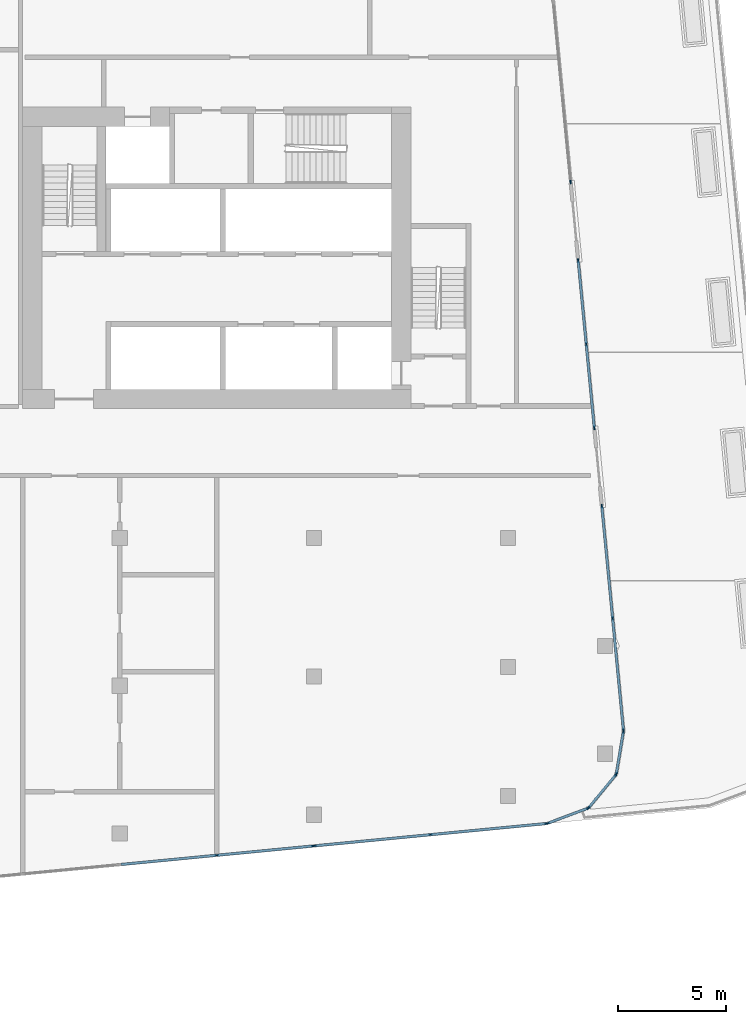
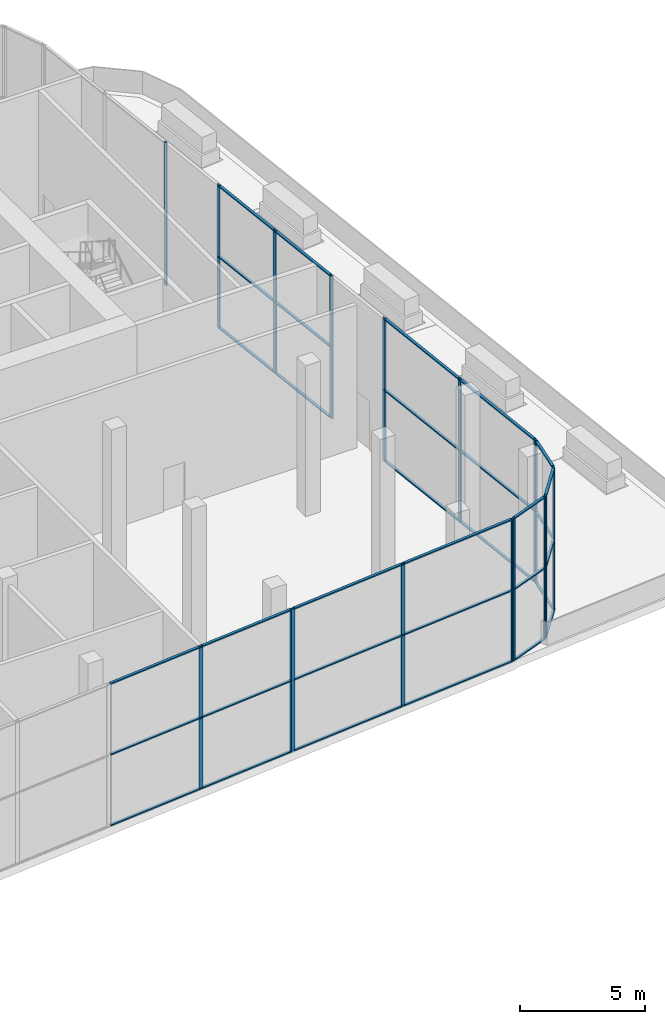
# One storey, part 7 of 25: 51 members, 8 elements without a shape of their own.
"""IFC4 building model written with IfcOpenShell, lengths in metres."""

import ifcopenshell
import ifcopenshell.guid

model = None  # the IFC model being written
_history = None  # IfcOwnerHistory: only IFC2X3 demands one
_inside = {}  # id of a spatial element -> (the spatial element, [elements in it])
_under = {}  # id of a project, library or spatial element -> (it, [spatial elements below it])
_declared = {}  # id of a project -> (the project, [libraries it declares])
_typed = {}  # id of a type object -> (the type object, [elements of that type])
_made_of = {}  # id of a material, layer set ... -> (it, [elements and type objects made of it])


def new_model(schema):
    """Start an empty IFC model of exactly this schema.

    Asked for "IFC4X3", IfcOpenShell would pick the latest addendum, in which some entities
    have other attributes; the version numbers below select the first issue.
    IFC2X3 requires an IfcOwnerHistory on every rooted entity: one is made here for all.
    """
    global model, _history
    if schema == "IFC4X3":
        model = ifcopenshell.file(schema_version=(4, 3, 0, 0))
    else:
        model = ifcopenshell.file(schema=schema)
    _inside.clear()
    _under.clear()
    _declared.clear()
    _typed.clear()
    _made_of.clear()
    _history = None
    if model.schema == "IFC2X3":
        org = make("IfcOrganization", Name="unknown")
        user = make(
            "IfcPersonAndOrganization",
            ThePerson=make("IfcPerson", FamilyName="unknown"),
            TheOrganization=org,
        )
        app = make(
            "IfcApplication",
            ApplicationDeveloper=org,
            Version="unknown",
            ApplicationFullName="unknown",
            ApplicationIdentifier="unknown",
        )
        _history = make(
            "IfcOwnerHistory",
            OwningUser=user,
            OwningApplication=app,
            ChangeAction="ADDED",
            CreationDate=0,
        )
    return model


def make(cls, **values):
    """One entity of the class cls with the attributes given. An attribute that is None is left unset."""
    return model.create_entity(
        cls, **{name: value for name, value in values.items() if value is not None}
    )


def rooted(cls, **values):
    """An entity with a GlobalId (a new one), such as an element, a storey or a relation."""
    return make(cls, GlobalId=ifcopenshell.guid.new(), OwnerHistory=_history, **values)


def si_unit(unit_type, name, prefix=None):
    """IfcSIUnit, for example si_unit("LENGTHUNIT", "METRE", prefix="MILLI")."""
    return make("IfcSIUnit", UnitType=unit_type, Prefix=prefix, Name=name)


def assignment(units):
    """IfcUnitAssignment: the units of a project."""
    return None if units is None else make("IfcUnitAssignment", Units=units)


def point(xyz):
    """IfcCartesianPoint."""
    return None if xyz is None else make("IfcCartesianPoint", Coordinates=xyz)


def direction(xyz):
    """IfcDirection."""
    return None if xyz is None else make("IfcDirection", DirectionRatios=xyz)


def frame(location, z_axis=None, x_axis=None):
    """IfcAxis2Placement3D, a coordinate frame: its origin and axes. An axis left out is left unset."""
    return make(
        "IfcAxis2Placement3D",
        Location=point(location),
        Axis=direction(z_axis),
        RefDirection=direction(x_axis),
    )


def frame_2d(location, x_axis=None):
    """IfcAxis2Placement2D, a coordinate frame in the plane: its origin and x axis."""
    return make(
        "IfcAxis2Placement2D", Location=point(location), RefDirection=direction(x_axis)
    )


def origin():
    """The frame at (0, 0, 0) with its axes left unset."""
    return frame((0.0, 0.0, 0.0))


def origin_2d():
    """The frame at (0, 0) in the plane with its x axis left unset."""
    return frame_2d((0.0, 0.0))


def place(relative_to, where):
    """IfcLocalPlacement: puts the frame where relative to a parent placement (None: the world)."""
    return make(
        "IfcLocalPlacement", PlacementRelTo=relative_to, RelativePlacement=where
    )


def context(
    kind, dimensions, precision=None, world=None, true_north=None, identifier=None
):
    """IfcGeometricRepresentationContext, for example the 3D "Model" context."""
    return make(
        "IfcGeometricRepresentationContext",
        ContextIdentifier=identifier,
        ContextType=kind,
        CoordinateSpaceDimension=dimensions,
        Precision=precision,
        WorldCoordinateSystem=world,
        TrueNorth=true_north,
    )


def subcontext(parent, identifier, kind, view, scale=None):
    """IfcGeometricRepresentationSubContext, for example "Body" below "Model"."""
    return make(
        "IfcGeometricRepresentationSubContext",
        ContextIdentifier=identifier,
        ContextType=kind,
        ParentContext=parent,
        TargetScale=scale,
        TargetView=view,
    )


def project(units=None, contexts=None):
    """IfcProject with its units and contexts."""
    return rooted(
        "IfcProject",
        Name="project",
        RepresentationContexts=contexts,
        UnitsInContext=assignment(units),
    )


def spatial(cls, under=None, at=None, **own):
    """A site, building, storey or space (cls), placed at a placement, below another one or the project."""
    s = rooted(cls, ObjectPlacement=at, **own)
    if under is not None:
        _under.setdefault(under.id(), (under, []))[1].append(s)
    return s


def profile(cls, at=None, kind="AREA", **sizes):
    """A parametric profile (cls). Its sizes go by their IFC names, for example OverallWidth=200.0."""
    return make(cls, ProfileType=kind, Position=at, **sizes)


def rectangle(**sizes):
    """IfcRectangleProfileDef."""
    return profile("IfcRectangleProfileDef", **sizes)


def extrude(swept, where, along, depth):
    """IfcExtrudedAreaSolid: the profile swept, set in the frame where, extruded along a direction by depth."""
    return make(
        "IfcExtrudedAreaSolid",
        SweptArea=swept,
        Position=where,
        ExtrudedDirection=direction(along),
        Depth=depth,
    )


def shape(context_of_items, identifier, shape_type, items):
    """IfcShapeRepresentation: the items that make up one representation, for example the "Body"."""
    return make(
        "IfcShapeRepresentation",
        ContextOfItems=context_of_items,
        RepresentationIdentifier=identifier,
        RepresentationType=shape_type,
        Items=items,
    )


def material(Name=None, Category=None):
    """IfcMaterial."""
    return make("IfcMaterial", Name=Name, Category=Category)


def material_profile(
    of_material, cross_section, Name=None, Category=None, Priority=None
):
    """IfcMaterialProfile: a cross section and its material."""
    return make(
        "IfcMaterialProfile",
        Name=Name,
        Material=of_material,
        Profile=cross_section,
        Priority=Priority,
        Category=Category,
    )


def profile_set(profiles, Name=None, composite=None):
    """IfcMaterialProfileSet."""
    return make(
        "IfcMaterialProfileSet",
        Name=Name,
        MaterialProfiles=profiles,
        CompositeProfile=composite,
    )


def made_of(thing, what):
    """Note that an element or type object is made of a material, layer set ...; save() writes the relation."""
    if what is not None:
        _made_of.setdefault(what.id(), (what, []))[1].append(thing)
    return thing


def type_object(cls, material=None, **own):
    """A type object (cls), such as IfcWallType, which elements share."""
    return made_of(rooted(cls, **own), material)


def element(
    cls,
    number,
    at=None,
    inside=None,
    cuts=None,
    type_object=None,
    material=None,
    context=None,
    identifier="Body",
    shape_type=None,
    held_by="IfcProductDefinitionShape",
    body=None,
    shapes=None,
    **own,
):
    """One element of the class cls, such as IfcWall. Its Tag is "e" and its number.

    at: its placement. inside: the storey or other place that contains it. cuts: it is an
    opening in that element (IfcRelVoidsElement). A single representation is given by context,
    identifier, shape_type and body (its items); several are given by shapes. held_by: the class
    of the entity that holds the representations. save() writes the other relations.
    """
    e = rooted(cls, Tag="e%d" % number, ObjectPlacement=at, **own)
    if body is not None:
        shapes = [shape(context, identifier, shape_type, body)]
    if shapes is not None:
        e.Representation = make(held_by, Representations=shapes)
    if inside is not None:
        _inside.setdefault(inside.id(), (inside, []))[1].append(e)
    if cuts is not None:
        rooted(
            "IfcRelVoidsElement", RelatingBuildingElement=cuts, RelatedOpeningElement=e
        )
    if type_object is not None:
        _typed.setdefault(type_object.id(), (type_object, []))[1].append(e)
    return made_of(e, material)


def aggregate(whole, parts):
    """IfcRelAggregates: a whole, such as a stair, and the parts it consists of."""
    return rooted("IfcRelAggregates", RelatingObject=whole, RelatedObjects=parts)


def save(model, path):
    """Write the relations noted so far, then the file.

    IfcRelAggregates (storeys below a building ...), IfcRelContainedInSpatialStructure (elements
    in a storey), IfcRelDefinesByType, IfcRelAssociatesMaterial and IfcRelDeclares: one each for
    every whole, place, type object, material and project.
    """
    for whole, parts in _under.values():
        aggregate(whole, parts)
    for where, things in _inside.values():
        rooted(
            "IfcRelContainedInSpatialStructure",
            RelatedElements=things,
            RelatingStructure=where,
        )
    for kind, things in _typed.values():
        rooted("IfcRelDefinesByType", RelatedObjects=things, RelatingType=kind)
    for what, things in _made_of.values():
        rooted("IfcRelAssociatesMaterial", RelatedObjects=things, RelatingMaterial=what)
    for by, libraries in _declared.values():
        rooted("IfcRelDeclares", RelatingContext=by, RelatedDefinitions=libraries)
    model.write(path)


model = new_model("IFC4")

# Units and contexts
model_context = context("Model", 3, precision=1e-05, world=origin(), true_north=direction((0.0, 1.0)))
body_context = subcontext(model_context, "Body", "Model", "MODEL_VIEW")
ifc_project = project(units=[si_unit("LENGTHUNIT", "METRE"), si_unit("AREAUNIT", "SQUARE_METRE"), si_unit("VOLUMEUNIT", "CUBIC_METRE"), si_unit("PLANEANGLEUNIT", "RADIAN"), si_unit("MASSUNIT", "GRAM", prefix="KILO")], contexts=[model_context])

# Site, building, storey
site_placement = place(None, origin())
site = spatial("IfcSite", under=ifc_project, at=site_placement, CompositionType="ELEMENT")
building_placement = place(site_placement, origin())
building = spatial("IfcBuilding", under=site, at=building_placement, Name="Kajstack Hotel Tower", CompositionType="ELEMENT")
storey_placement = place(building_placement, frame((0.0, 0.0, 155.0)))
storey = spatial("IfcBuildingStorey", under=building, at=storey_placement, Name="L36", CompositionType="ELEMENT", Elevation=155.0)

# Curtain wall, members
ifc_material_1 = material(Name="Aluminium-framed curtain wall, insulated glass with fritted edge", Category="aluminium")
curtain_wall_type = type_object("IfcCurtainWallType", Name="CW-SPA", PredefinedType="NOTDEFINED", material=ifc_material_1)
curtain_wall_1_placement = place(storey_placement, origin())
curtain_wall_1 = element("IfcCurtainWall", 1, at=curtain_wall_1_placement, inside=storey, type_object=curtain_wall_type, Name="Curtain wall CU7 L36-04-02-3", PredefinedType="NOTDEFINED")
ifc_material_2 = material(Name="Aluminium", Category="aluminium")
ifc_material_profile_1 = material_profile(ifc_material_2, rectangle(XDim=0.06005859375, YDim=0.179931640625, at=origin_2d()), Name="Aluminium mullion 60 x 180")
ifc_profile_set_1 = profile_set([ifc_material_profile_1], Name="Aluminium")
member_type_1 = type_object("IfcMemberType", Name="CW-M-SPA", PredefinedType="MULLION", material=ifc_profile_set_1)
member_1_placement = place(storey_placement, frame((22.49267578125, -19.21142578125, 0.0), z_axis=(0.0, 0.0, 1.0), x_axis=(-0.095845332373, 0.995396238823, 0.0)))
member_1 = element("IfcMember", 2, at=member_1_placement, type_object=member_type_1, Name="CU7 mullion 2", PredefinedType="MULLION", context=body_context, shape_type="SweptSolid", body=[
    extrude(rectangle(XDim=0.06005859375, YDim=0.179931640625, at=origin_2d()), origin(), (0.0, 0.0, 1.0), 7.0),
])
member_2_placement = place(storey_placement, frame((26.962890625, -18.781005859375, 0.0), z_axis=(0.0, 0.0, 1.0), x_axis=(-0.095845332373, 0.995396238823, 0.0)))
member_2 = element("IfcMember", 3, at=member_2_placement, type_object=member_type_1, Name="CU7 mullion 3", PredefinedType="MULLION", context=body_context, shape_type="SweptSolid", body=[
    extrude(rectangle(XDim=0.06005859375, YDim=0.179931640625, at=origin_2d()), origin(), (0.0, 0.0, 1.0), 7.0),
])

curtain_wall_2_placement = place(storey_placement, origin())
curtain_wall_2 = element("IfcCurtainWall", 4, at=curtain_wall_2_placement, inside=storey, type_object=curtain_wall_type, Name="Curtain wall CU7 L36-04-02-4", PredefinedType="NOTDEFINED")
member_3_placement = place(storey_placement, frame((27.022705078125, -18.775390625, 0.0), z_axis=(0.0, 0.0, 1.0), x_axis=(-0.095845408154, 0.995396231526, 0.0)))
member_3 = element("IfcMember", 5, at=member_3_placement, type_object=member_type_1, Name="CU7 mullion 1", PredefinedType="MULLION", context=body_context, shape_type="SweptSolid", body=[
    extrude(rectangle(XDim=0.06005859375, YDim=0.179931640625, at=origin_2d()), origin(), (0.0, 0.0, 1.0), 7.0),
])
member_4_placement = place(storey_placement, frame((32.412841796875, -18.25634765625, 0.0), z_axis=(0.0, 0.0, 1.0), x_axis=(-0.095845408154, 0.995396231526, 0.0)))
member_4 = element("IfcMember", 6, at=member_4_placement, type_object=member_type_1, Name="CU7 mullion 2", PredefinedType="MULLION", context=body_context, shape_type="SweptSolid", body=[
    extrude(rectangle(XDim=0.06005859375, YDim=0.179931640625, at=origin_2d()), origin(), (0.0, 0.0, 1.0), 7.0),
])
member_5_placement = place(storey_placement, frame((37.802978515625, -17.7373046875, 0.0), z_axis=(0.0, 0.0, 1.0), x_axis=(-0.095845408154, 0.995396231526, 0.0)))
member_5 = element("IfcMember", 7, at=member_5_placement, type_object=member_type_1, Name="CU7 mullion 3", PredefinedType="MULLION", context=body_context, shape_type="SweptSolid", body=[
    extrude(rectangle(XDim=0.06005859375, YDim=0.179931640625, at=origin_2d()), origin(), (0.0, 0.0, 1.0), 7.0),
])

curtain_wall_3_placement = place(storey_placement, origin())
curtain_wall_3 = element("IfcCurtainWall", 8, at=curtain_wall_3_placement, inside=storey, type_object=curtain_wall_type, Name="Curtain wall CU7 L36-05-00-0", PredefinedType="NOTDEFINED")
member_6_placement = place(storey_placement, frame((37.842041015625, -17.728271484375, 0.0), z_axis=(0.0, 0.0, 1.0), x_axis=(-0.3502023187, 0.936674082046, 0.0)))
member_6 = element("IfcMember", 9, at=member_6_placement, type_object=member_type_1, Name="CU7 mullion 1", PredefinedType="MULLION", context=body_context, shape_type="SweptSolid", body=[
    extrude(rectangle(XDim=0.06005859375, YDim=0.179931640625, at=origin_2d()), origin(), (0.0, 0.0, 1.0), 7.0),
])
member_7_placement = place(storey_placement, frame((39.72509765625, -17.024169921875, 0.0), z_axis=(0.0, 0.0, 1.0), x_axis=(-0.3502023187, 0.936674082046, 0.0)))
member_7 = element("IfcMember", 10, at=member_7_placement, type_object=member_type_1, Name="CU7 mullion 2", PredefinedType="MULLION", context=body_context, shape_type="SweptSolid", body=[
    extrude(rectangle(XDim=0.06005859375, YDim=0.179931640625, at=origin_2d()), origin(), (0.0, 0.0, 1.0), 7.0),
])

curtain_wall_4_placement = place(storey_placement, origin())
curtain_wall_4 = element("IfcCurtainWall", 11, at=curtain_wall_4_placement, inside=storey, type_object=curtain_wall_type, Name="Curtain wall CU7 L36-06-00-0", PredefinedType="NOTDEFINED")
member_8_placement = place(storey_placement, frame((39.74072265625, -17.01318359375, 0.0), z_axis=(0.0, 0.0, 1.0), x_axis=(-0.771610892698, 0.636094828048, 0.0)))
member_8 = element("IfcMember", 12, at=member_8_placement, type_object=member_type_1, Name="CU7 mullion 1", PredefinedType="MULLION", context=body_context, shape_type="SweptSolid", body=[
    extrude(rectangle(XDim=0.06005859375, YDim=0.179931640625, at=origin_2d()), origin(), (0.0, 0.0, 1.0), 7.0),
])
member_9_placement = place(storey_placement, frame((41.01953125, -15.461669921875, 0.0), z_axis=(0.0, 0.0, 1.0), x_axis=(-0.771610892698, 0.636094828048, 0.0)))
member_9 = element("IfcMember", 13, at=member_9_placement, type_object=member_type_1, Name="CU7 mullion 2", PredefinedType="MULLION", context=body_context, shape_type="SweptSolid", body=[
    extrude(rectangle(XDim=0.06005859375, YDim=0.179931640625, at=origin_2d()), origin(), (0.0, 0.0, 1.0), 7.0),
])

curtain_wall_5_placement = place(storey_placement, origin())
curtain_wall_5 = element("IfcCurtainWall", 14, at=curtain_wall_5_placement, inside=storey, type_object=curtain_wall_type, Name="Curtain wall CU7 L36-07-00-0", PredefinedType="NOTDEFINED")
member_10_placement = place(storey_placement, frame((41.027587890625, -15.4443359375, 0.0), z_axis=(0.0, 0.0, 1.0), x_axis=(-0.986289302298, 0.165025489464, 0.0)))
member_10 = element("IfcMember", 15, at=member_10_placement, type_object=member_type_1, Name="CU7 mullion 1", PredefinedType="MULLION", context=body_context, shape_type="SweptSolid", body=[
    extrude(rectangle(XDim=0.06005859375, YDim=0.179931640625, at=origin_2d()), origin(), (0.0, 0.0, 1.0), 7.0),
])
member_11_placement = place(storey_placement, frame((41.359375, -13.46142578125, 0.0), z_axis=(0.0, 0.0, 1.0), x_axis=(-0.986289302298, 0.165025489464, 0.0)))
member_11 = element("IfcMember", 16, at=member_11_placement, type_object=member_type_1, Name="CU7 mullion 2", PredefinedType="MULLION", context=body_context, shape_type="SweptSolid", body=[
    extrude(rectangle(XDim=0.06005859375, YDim=0.179931640625, at=origin_2d()), origin(), (0.0, 0.0, 1.0), 7.0),
])

curtain_wall_6_placement = place(storey_placement, origin())
curtain_wall_6 = element("IfcCurtainWall", 17, at=curtain_wall_6_placement, inside=storey, type_object=curtain_wall_type, Name="Curtain wall CU7 L36-08-00-0", PredefinedType="NOTDEFINED")
member_12_placement = place(storey_placement, frame((41.36083984375, -13.42138671875, 0.0), z_axis=(0.0, 0.0, 1.0), x_axis=(-0.995396337169, -0.095844311, 0.0)))
member_12 = element("IfcMember", 18, at=member_12_placement, type_object=member_type_1, Name="CU7 mullion 1", PredefinedType="MULLION", context=body_context, shape_type="SweptSolid", body=[
    extrude(rectangle(XDim=0.06005859375, YDim=0.179931640625, at=origin_2d()), origin(), (0.0, 0.0, 1.0), 7.0),
])
member_13_placement = place(storey_placement, frame((40.8603515625, -8.22509765625, 0.0), z_axis=(0.0, 0.0, 1.0), x_axis=(-0.995396337169, -0.095844311, 0.0)))
member_13 = element("IfcMember", 19, at=member_13_placement, type_object=member_type_1, Name="CU7 mullion 2", PredefinedType="MULLION", context=body_context, shape_type="SweptSolid", body=[
    extrude(rectangle(XDim=0.06005859375, YDim=0.179931640625, at=origin_2d()), origin(), (0.0, 0.0, 1.0), 7.0),
])
member_14_placement = place(storey_placement, frame((40.360107421875, -3.02880859375, 0.0), z_axis=(0.0, 0.0, 1.0), x_axis=(-0.995396337169, -0.095844311, 0.0)))
member_14 = element("IfcMember", 20, at=member_14_placement, type_object=member_type_1, Name="CU7 mullion 3", PredefinedType="MULLION", context=body_context, shape_type="SweptSolid", body=[
    extrude(rectangle(XDim=0.06005859375, YDim=0.179931640625, at=origin_2d()), origin(), (0.0, 0.0, 1.0), 7.0),
])

curtain_wall_7_placement = place(storey_placement, origin())
curtain_wall_7 = element("IfcCurtainWall", 21, at=curtain_wall_7_placement, inside=storey, type_object=curtain_wall_type, Name="Curtain wall CU7 L36-08-02-0", PredefinedType="NOTDEFINED")
member_15_placement = place(storey_placement, frame((40.00927734375, 0.6142578125, 0.0), z_axis=(0.0, 0.0, 1.0), x_axis=(-0.995396338627, -0.095844295851, 0.0)))
member_15 = element("IfcMember", 22, at=member_15_placement, type_object=member_type_1, Name="CU7 mullion 1", PredefinedType="MULLION", context=body_context, shape_type="SweptSolid", body=[
    extrude(rectangle(XDim=0.06005859375, YDim=0.179931640625, at=origin_2d()), origin(), (0.0, 0.0, 1.0), 7.0),
])
member_16_placement = place(storey_placement, frame((39.6357421875, 4.49267578125, 0.0), z_axis=(0.0, 0.0, 1.0), x_axis=(-0.995396338627, -0.095844295851, 0.0)))
member_16 = element("IfcMember", 23, at=member_16_placement, type_object=member_type_1, Name="CU7 mullion 2", PredefinedType="MULLION", context=body_context, shape_type="SweptSolid", body=[
    extrude(rectangle(XDim=0.06005859375, YDim=0.179931640625, at=origin_2d()), origin(), (0.0, 0.0, 1.0), 7.0),
])
member_17_placement = place(storey_placement, frame((39.262451171875, 8.37109375, 0.0), z_axis=(0.0, 0.0, 1.0), x_axis=(-0.995396338627, -0.095844295851, 0.0)))
member_17 = element("IfcMember", 24, at=member_17_placement, type_object=member_type_1, Name="CU7 mullion 3", PredefinedType="MULLION", context=body_context, shape_type="SweptSolid", body=[
    extrude(rectangle(XDim=0.06005859375, YDim=0.179931640625, at=origin_2d()), origin(), (0.0, 0.0, 1.0), 7.0),
])

# Curtain wall, member
curtain_wall_8_placement = place(storey_placement, origin())
curtain_wall_8 = element("IfcCurtainWall", 25, at=curtain_wall_8_placement, inside=storey, type_object=curtain_wall_type, Name="Curtain wall CU7 L36-08-04-0", PredefinedType="NOTDEFINED")
member_18_placement = place(storey_placement, frame((38.91162109375, 12.014404296875, 0.0), z_axis=(0.0, 0.0, 1.0), x_axis=(-0.995396331916, -0.095844365551, 0.0)))
member_18 = element("IfcMember", 26, at=member_18_placement, type_object=member_type_1, Name="CU7 mullion 1", PredefinedType="MULLION", context=body_context, shape_type="SweptSolid", body=[
    extrude(rectangle(XDim=0.06005859375, YDim=0.179931640625, at=origin_2d()), origin(), (0.0, 0.0, 1.0), 7.0),
])
aggregate(curtain_wall_8, [member_18])

# Member
ifc_material_profile_2 = material_profile(ifc_material_2, rectangle(XDim=0.1201171875, YDim=0.06005859375, at=origin_2d()), Name="Aluminium transom 120 x 60")
ifc_profile_set_2 = profile_set([ifc_material_profile_2], Name="Aluminium")
member_type_2 = type_object("IfcMemberType", Name="CW-T-SPA", PredefinedType="USERDEFINED", material=ifc_profile_set_2)
member_19_placement = place(storey_placement, frame((18.052490234375, -19.63916015625, 0.030029296875), z_axis=(0.995393367938, 0.095875143106, 0.0), x_axis=(-0.095875143106, 0.995393367938, 0.0)))
member_19 = element("IfcMember", 27, at=member_19_placement, type_object=member_type_2, Name="CU7 transom 1.1", ObjectType="TRANSOM", PredefinedType="USERDEFINED", context=body_context, shape_type="SweptSolid", body=[
    extrude(rectangle(XDim=0.1201171875, YDim=0.06005859375, at=origin_2d()), origin(), (0.0, 0.0, 1.0), 4.430908203125),
])

member_20_placement = place(storey_placement, frame((18.052490234375, -19.63916015625, 3.5), z_axis=(0.995393367938, 0.095875143106, 0.0), x_axis=(-0.095875143106, 0.995393367938, 0.0)))
member_20 = element("IfcMember", 28, at=member_20_placement, type_object=member_type_2, Name="CU7 transom 1.2", ObjectType="TRANSOM", PredefinedType="USERDEFINED", context=body_context, shape_type="SweptSolid", body=[
    extrude(rectangle(XDim=0.1201171875, YDim=0.06005859375, at=origin_2d()), origin(), (0.0, 0.0, 1.0), 4.430908203125),
])

member_21_placement = place(storey_placement, frame((18.052490234375, -19.63916015625, 6.969970703125), z_axis=(0.995393367938, 0.095875143106, 0.0), x_axis=(-0.095875143106, 0.995393367938, 0.0)))
member_21 = element("IfcMember", 29, at=member_21_placement, type_object=member_type_2, Name="CU7 transom 1.3", ObjectType="TRANSOM", PredefinedType="USERDEFINED", context=body_context, shape_type="SweptSolid", body=[
    extrude(rectangle(XDim=0.1201171875, YDim=0.06005859375, at=origin_2d()), origin(), (0.0, 0.0, 1.0), 4.430908203125),
])

member_22_placement = place(storey_placement, frame((22.522705078125, -19.208740234375, 0.030029296875), z_axis=(0.995393367938, 0.095875143106, 0.0), x_axis=(-0.095875143106, 0.995393367938, 0.0)))
member_22 = element("IfcMember", 30, at=member_22_placement, type_object=member_type_2, Name="CU7 transom 2.1", ObjectType="TRANSOM", PredefinedType="USERDEFINED", context=body_context, shape_type="SweptSolid", body=[
    extrude(rectangle(XDim=0.1201171875, YDim=0.06005859375, at=origin_2d()), origin(), (0.0, 0.0, 1.0), 4.430908203125),
])

member_23_placement = place(storey_placement, frame((22.522705078125, -19.208740234375, 3.5), z_axis=(0.995393367938, 0.095875143106, 0.0), x_axis=(-0.095875143106, 0.995393367938, 0.0)))
member_23 = element("IfcMember", 31, at=member_23_placement, type_object=member_type_2, Name="CU7 transom 2.2", ObjectType="TRANSOM", PredefinedType="USERDEFINED", context=body_context, shape_type="SweptSolid", body=[
    extrude(rectangle(XDim=0.1201171875, YDim=0.06005859375, at=origin_2d()), origin(), (0.0, 0.0, 1.0), 4.430908203125),
])

member_24_placement = place(storey_placement, frame((22.522705078125, -19.208740234375, 6.969970703125), z_axis=(0.995393367938, 0.095875143106, 0.0), x_axis=(-0.095875143106, 0.995393367938, 0.0)))
member_24 = element("IfcMember", 32, at=member_24_placement, type_object=member_type_2, Name="CU7 transom 2.3", ObjectType="TRANSOM", PredefinedType="USERDEFINED", context=body_context, shape_type="SweptSolid", body=[
    extrude(rectangle(XDim=0.1201171875, YDim=0.06005859375, at=origin_2d()), origin(), (0.0, 0.0, 1.0), 4.430908203125),
])

aggregate(curtain_wall_1, [member_1, member_2, member_19, member_20, member_21, member_22, member_23, member_24])

member_25_placement = place(storey_placement, frame((27.052490234375, -18.7724609375, 0.030029296875), z_axis=(0.9953978296, 0.095828810013, 0.0), x_axis=(-0.095828810013, 0.9953978296, 0.0)))
member_25 = element("IfcMember", 33, at=member_25_placement, type_object=member_type_2, Name="CU7 transom 1.1", ObjectType="TRANSOM", PredefinedType="USERDEFINED", context=body_context, shape_type="SweptSolid", body=[
    extrude(rectangle(XDim=0.1201171875, YDim=0.06005859375, at=origin_2d()), origin(), (0.0, 0.0, 1.0), 5.355224609375),
])

member_26_placement = place(storey_placement, frame((27.052490234375, -18.7724609375, 3.5), z_axis=(0.9953978296, 0.095828810013, 0.0), x_axis=(-0.095828810013, 0.9953978296, 0.0)))
member_26 = element("IfcMember", 34, at=member_26_placement, type_object=member_type_2, Name="CU7 transom 1.2", ObjectType="TRANSOM", PredefinedType="USERDEFINED", context=body_context, shape_type="SweptSolid", body=[
    extrude(rectangle(XDim=0.1201171875, YDim=0.06005859375, at=origin_2d()), origin(), (0.0, 0.0, 1.0), 5.355224609375),
])

member_27_placement = place(storey_placement, frame((27.052490234375, -18.7724609375, 6.969970703125), z_axis=(0.9953978296, 0.095828810013, 0.0), x_axis=(-0.095828810013, 0.9953978296, 0.0)))
member_27 = element("IfcMember", 35, at=member_27_placement, type_object=member_type_2, Name="CU7 transom 1.3", ObjectType="TRANSOM", PredefinedType="USERDEFINED", context=body_context, shape_type="SweptSolid", body=[
    extrude(rectangle(XDim=0.1201171875, YDim=0.06005859375, at=origin_2d()), origin(), (0.0, 0.0, 1.0), 5.355224609375),
])

member_28_placement = place(storey_placement, frame((32.442626953125, -18.25341796875, 0.030029296875), z_axis=(0.9953978296, 0.095828810013, 0.0), x_axis=(-0.095828810013, 0.9953978296, 0.0)))
member_28 = element("IfcMember", 36, at=member_28_placement, type_object=member_type_2, Name="CU7 transom 2.1", ObjectType="TRANSOM", PredefinedType="USERDEFINED", context=body_context, shape_type="SweptSolid", body=[
    extrude(rectangle(XDim=0.1201171875, YDim=0.06005859375, at=origin_2d()), origin(), (0.0, 0.0, 1.0), 5.355224609375),
])

member_29_placement = place(storey_placement, frame((32.442626953125, -18.25341796875, 3.5), z_axis=(0.9953978296, 0.095828810013, 0.0), x_axis=(-0.095828810013, 0.9953978296, 0.0)))
member_29 = element("IfcMember", 37, at=member_29_placement, type_object=member_type_2, Name="CU7 transom 2.2", ObjectType="TRANSOM", PredefinedType="USERDEFINED", context=body_context, shape_type="SweptSolid", body=[
    extrude(rectangle(XDim=0.1201171875, YDim=0.06005859375, at=origin_2d()), origin(), (0.0, 0.0, 1.0), 5.355224609375),
])

member_30_placement = place(storey_placement, frame((32.442626953125, -18.25341796875, 6.969970703125), z_axis=(0.9953978296, 0.095828810013, 0.0), x_axis=(-0.095828810013, 0.9953978296, 0.0)))
member_30 = element("IfcMember", 38, at=member_30_placement, type_object=member_type_2, Name="CU7 transom 2.3", ObjectType="TRANSOM", PredefinedType="USERDEFINED", context=body_context, shape_type="SweptSolid", body=[
    extrude(rectangle(XDim=0.1201171875, YDim=0.06005859375, at=origin_2d()), origin(), (0.0, 0.0, 1.0), 5.355224609375),
])

aggregate(curtain_wall_2, [member_3, member_4, member_5, member_25, member_26, member_27, member_28, member_29, member_30])

member_31_placement = place(storey_placement, frame((37.8701171875, -17.7177734375, 0.030029296875), z_axis=(0.936663116963, 0.350231645231, 0.0), x_axis=(-0.350231645231, 0.936663116963, 0.0)))
member_31 = element("IfcMember", 39, at=member_31_placement, type_object=member_type_2, Name="CU7 transom 1.1", ObjectType="TRANSOM", PredefinedType="USERDEFINED", context=body_context, shape_type="SweptSolid", body=[
    extrude(rectangle(XDim=0.1201171875, YDim=0.06005859375, at=origin_2d()), origin(), (0.0, 0.0, 1.0), 1.950439453125),
])

member_32_placement = place(storey_placement, frame((37.8701171875, -17.7177734375, 3.5), z_axis=(0.936663116963, 0.350231645231, 0.0), x_axis=(-0.350231645231, 0.936663116963, 0.0)))
member_32 = element("IfcMember", 40, at=member_32_placement, type_object=member_type_2, Name="CU7 transom 1.2", ObjectType="TRANSOM", PredefinedType="USERDEFINED", context=body_context, shape_type="SweptSolid", body=[
    extrude(rectangle(XDim=0.1201171875, YDim=0.06005859375, at=origin_2d()), origin(), (0.0, 0.0, 1.0), 1.950439453125),
])

member_33_placement = place(storey_placement, frame((37.8701171875, -17.7177734375, 6.969970703125), z_axis=(0.936663116963, 0.350231645231, 0.0), x_axis=(-0.350231645231, 0.936663116963, 0.0)))
member_33 = element("IfcMember", 41, at=member_33_placement, type_object=member_type_2, Name="CU7 transom 1.3", ObjectType="TRANSOM", PredefinedType="USERDEFINED", context=body_context, shape_type="SweptSolid", body=[
    extrude(rectangle(XDim=0.1201171875, YDim=0.06005859375, at=origin_2d()), origin(), (0.0, 0.0, 1.0), 1.950439453125),
])

aggregate(curtain_wall_3, [member_6, member_7, member_31, member_32, member_33])

member_34_placement = place(storey_placement, frame((39.759765625, -16.989990234375, 0.030029296875), z_axis=(0.636075700037, 0.771626660907, 0.0), x_axis=(-0.771626660907, 0.636075700037, 0.0)))
member_34 = element("IfcMember", 42, at=member_34_placement, type_object=member_type_2, Name="CU7 transom 1.1", ObjectType="TRANSOM", PredefinedType="USERDEFINED", context=body_context, shape_type="SweptSolid", body=[
    extrude(rectangle(XDim=0.1201171875, YDim=0.06005859375, at=origin_2d()), origin(), (0.0, 0.0, 1.0), 1.95068359375),
])

member_35_placement = place(storey_placement, frame((39.759765625, -16.989990234375, 3.5), z_axis=(0.636075700037, 0.771626660907, 0.0), x_axis=(-0.771626660907, 0.636075700037, 0.0)))
member_35 = element("IfcMember", 43, at=member_35_placement, type_object=member_type_2, Name="CU7 transom 1.2", ObjectType="TRANSOM", PredefinedType="USERDEFINED", context=body_context, shape_type="SweptSolid", body=[
    extrude(rectangle(XDim=0.1201171875, YDim=0.06005859375, at=origin_2d()), origin(), (0.0, 0.0, 1.0), 1.95068359375),
])

member_36_placement = place(storey_placement, frame((39.759765625, -16.989990234375, 6.969970703125), z_axis=(0.636075700037, 0.771626660907, 0.0), x_axis=(-0.771626660907, 0.636075700037, 0.0)))
member_36 = element("IfcMember", 44, at=member_36_placement, type_object=member_type_2, Name="CU7 transom 1.3", ObjectType="TRANSOM", PredefinedType="USERDEFINED", context=body_context, shape_type="SweptSolid", body=[
    extrude(rectangle(XDim=0.1201171875, YDim=0.06005859375, at=origin_2d()), origin(), (0.0, 0.0, 1.0), 1.95068359375),
])

aggregate(curtain_wall_4, [member_8, member_9, member_34, member_35, member_36])

member_37_placement = place(storey_placement, frame((41.032470703125, -15.414794921875, 0.030029296875), z_axis=(0.165089030927, 0.986278668464, 0.0), x_axis=(-0.986278668464, 0.165089030927, 0.0)))
member_37 = element("IfcMember", 45, at=member_37_placement, type_object=member_type_2, Name="CU7 transom 1.1", ObjectType="TRANSOM", PredefinedType="USERDEFINED", context=body_context, shape_type="SweptSolid", body=[
    extrude(rectangle(XDim=0.1201171875, YDim=0.06005859375, at=origin_2d()), origin(), (0.0, 0.0, 1.0), 1.95068359375),
])

member_38_placement = place(storey_placement, frame((41.032470703125, -15.414794921875, 3.5), z_axis=(0.165089030927, 0.986278668464, 0.0), x_axis=(-0.986278668464, 0.165089030927, 0.0)))
member_38 = element("IfcMember", 46, at=member_38_placement, type_object=member_type_2, Name="CU7 transom 1.2", ObjectType="TRANSOM", PredefinedType="USERDEFINED", context=body_context, shape_type="SweptSolid", body=[
    extrude(rectangle(XDim=0.1201171875, YDim=0.06005859375, at=origin_2d()), origin(), (0.0, 0.0, 1.0), 1.95068359375),
])

member_39_placement = place(storey_placement, frame((41.032470703125, -15.414794921875, 6.969970703125), z_axis=(0.165089030927, 0.986278668464, 0.0), x_axis=(-0.986278668464, 0.165089030927, 0.0)))
member_39 = element("IfcMember", 47, at=member_39_placement, type_object=member_type_2, Name="CU7 transom 1.3", ObjectType="TRANSOM", PredefinedType="USERDEFINED", context=body_context, shape_type="SweptSolid", body=[
    extrude(rectangle(XDim=0.1201171875, YDim=0.06005859375, at=origin_2d()), origin(), (0.0, 0.0, 1.0), 1.95068359375),
])

aggregate(curtain_wall_5, [member_10, member_11, member_37, member_38, member_39])

member_40_placement = place(storey_placement, frame((41.35791015625, -13.3916015625, 0.030029296875), z_axis=(-0.095849428741, 0.995395844381, 0.0), x_axis=(-0.995395844381, -0.095849428741, 0.0)))
member_40 = element("IfcMember", 48, at=member_40_placement, type_object=member_type_2, Name="CU7 transom 1.1", ObjectType="TRANSOM", PredefinedType="USERDEFINED", context=body_context, shape_type="SweptSolid", body=[
    extrude(rectangle(XDim=0.1201171875, YDim=0.06005859375, at=origin_2d()), origin(), (0.0, 0.0, 1.0), 5.160400390625),
])

member_41_placement = place(storey_placement, frame((41.35791015625, -13.3916015625, 3.5), z_axis=(-0.095849428741, 0.995395844381, 0.0), x_axis=(-0.995395844381, -0.095849428741, 0.0)))
member_41 = element("IfcMember", 49, at=member_41_placement, type_object=member_type_2, Name="CU7 transom 1.2", ObjectType="TRANSOM", PredefinedType="USERDEFINED", context=body_context, shape_type="SweptSolid", body=[
    extrude(rectangle(XDim=0.1201171875, YDim=0.06005859375, at=origin_2d()), origin(), (0.0, 0.0, 1.0), 5.160400390625),
])

member_42_placement = place(storey_placement, frame((41.35791015625, -13.3916015625, 6.969970703125), z_axis=(-0.095849428741, 0.995395844381, 0.0), x_axis=(-0.995395844381, -0.095849428741, 0.0)))
member_42 = element("IfcMember", 50, at=member_42_placement, type_object=member_type_2, Name="CU7 transom 1.3", ObjectType="TRANSOM", PredefinedType="USERDEFINED", context=body_context, shape_type="SweptSolid", body=[
    extrude(rectangle(XDim=0.1201171875, YDim=0.06005859375, at=origin_2d()), origin(), (0.0, 0.0, 1.0), 5.160400390625),
])

member_43_placement = place(storey_placement, frame((40.857666015625, -8.1953125, 0.030029296875), z_axis=(-0.095849428741, 0.995395844381, 0.0), x_axis=(-0.995395844381, -0.095849428741, 0.0)))
member_43 = element("IfcMember", 51, at=member_43_placement, type_object=member_type_2, Name="CU7 transom 2.1", ObjectType="TRANSOM", PredefinedType="USERDEFINED", context=body_context, shape_type="SweptSolid", body=[
    extrude(rectangle(XDim=0.1201171875, YDim=0.06005859375, at=origin_2d()), origin(), (0.0, 0.0, 1.0), 5.160400390625),
])

member_44_placement = place(storey_placement, frame((40.857666015625, -8.1953125, 3.5), z_axis=(-0.095849428741, 0.995395844381, 0.0), x_axis=(-0.995395844381, -0.095849428741, 0.0)))
member_44 = element("IfcMember", 52, at=member_44_placement, type_object=member_type_2, Name="CU7 transom 2.2", ObjectType="TRANSOM", PredefinedType="USERDEFINED", context=body_context, shape_type="SweptSolid", body=[
    extrude(rectangle(XDim=0.1201171875, YDim=0.06005859375, at=origin_2d()), origin(), (0.0, 0.0, 1.0), 5.160400390625),
])

member_45_placement = place(storey_placement, frame((40.857666015625, -8.1953125, 6.969970703125), z_axis=(-0.095849428741, 0.995395844381, 0.0), x_axis=(-0.995395844381, -0.095849428741, 0.0)))
member_45 = element("IfcMember", 53, at=member_45_placement, type_object=member_type_2, Name="CU7 transom 2.3", ObjectType="TRANSOM", PredefinedType="USERDEFINED", context=body_context, shape_type="SweptSolid", body=[
    extrude(rectangle(XDim=0.1201171875, YDim=0.06005859375, at=origin_2d()), origin(), (0.0, 0.0, 1.0), 5.160400390625),
])

aggregate(curtain_wall_6, [member_12, member_13, member_14, member_40, member_41, member_42, member_43, member_44, member_45])

member_46_placement = place(storey_placement, frame((40.00634765625, 0.644287109375, 0.030029296875), z_axis=(-0.095842158171, 0.995396544457, 0.0), x_axis=(-0.995396544457, -0.095842158171, 0.0)))
member_46 = element("IfcMember", 54, at=member_46_placement, type_object=member_type_2, Name="CU7 transom 1.1", ObjectType="TRANSOM", PredefinedType="USERDEFINED", context=body_context, shape_type="SweptSolid", body=[
    extrude(rectangle(XDim=0.1201171875, YDim=0.06005859375, at=origin_2d()), origin(), (0.0, 0.0, 1.0), 3.836181640625),
])

member_47_placement = place(storey_placement, frame((40.00634765625, 0.644287109375, 3.5), z_axis=(-0.095842158171, 0.995396544457, 0.0), x_axis=(-0.995396544457, -0.095842158171, 0.0)))
member_47 = element("IfcMember", 55, at=member_47_placement, type_object=member_type_2, Name="CU7 transom 1.2", ObjectType="TRANSOM", PredefinedType="USERDEFINED", context=body_context, shape_type="SweptSolid", body=[
    extrude(rectangle(XDim=0.1201171875, YDim=0.06005859375, at=origin_2d()), origin(), (0.0, 0.0, 1.0), 3.836181640625),
])

member_48_placement = place(storey_placement, frame((40.00634765625, 0.644287109375, 6.969970703125), z_axis=(-0.095842158171, 0.995396544457, 0.0), x_axis=(-0.995396544457, -0.095842158171, 0.0)))
member_48 = element("IfcMember", 56, at=member_48_placement, type_object=member_type_2, Name="CU7 transom 1.3", ObjectType="TRANSOM", PredefinedType="USERDEFINED", context=body_context, shape_type="SweptSolid", body=[
    extrude(rectangle(XDim=0.1201171875, YDim=0.06005859375, at=origin_2d()), origin(), (0.0, 0.0, 1.0), 3.836181640625),
])

member_49_placement = place(storey_placement, frame((39.633056640625, 4.522705078125, 0.030029296875), z_axis=(-0.095842158171, 0.995396544457, 0.0), x_axis=(-0.995396544457, -0.095842158171, 0.0)))
member_49 = element("IfcMember", 57, at=member_49_placement, type_object=member_type_2, Name="CU7 transom 2.1", ObjectType="TRANSOM", PredefinedType="USERDEFINED", context=body_context, shape_type="SweptSolid", body=[
    extrude(rectangle(XDim=0.1201171875, YDim=0.06005859375, at=origin_2d()), origin(), (0.0, 0.0, 1.0), 3.836181640625),
])

member_50_placement = place(storey_placement, frame((39.633056640625, 4.522705078125, 3.5), z_axis=(-0.095842158171, 0.995396544457, 0.0), x_axis=(-0.995396544457, -0.095842158171, 0.0)))
member_50 = element("IfcMember", 58, at=member_50_placement, type_object=member_type_2, Name="CU7 transom 2.2", ObjectType="TRANSOM", PredefinedType="USERDEFINED", context=body_context, shape_type="SweptSolid", body=[
    extrude(rectangle(XDim=0.1201171875, YDim=0.06005859375, at=origin_2d()), origin(), (0.0, 0.0, 1.0), 3.836181640625),
])

member_51_placement = place(storey_placement, frame((39.633056640625, 4.522705078125, 6.969970703125), z_axis=(-0.095842158171, 0.995396544457, 0.0), x_axis=(-0.995396544457, -0.095842158171, 0.0)))
member_51 = element("IfcMember", 59, at=member_51_placement, type_object=member_type_2, Name="CU7 transom 2.3", ObjectType="TRANSOM", PredefinedType="USERDEFINED", context=body_context, shape_type="SweptSolid", body=[
    extrude(rectangle(XDim=0.1201171875, YDim=0.06005859375, at=origin_2d()), origin(), (0.0, 0.0, 1.0), 3.836181640625),
])

aggregate(curtain_wall_7, [member_15, member_16, member_17, member_46, member_47, member_48, member_49, member_50, member_51])

save(model, "model.ifc")
